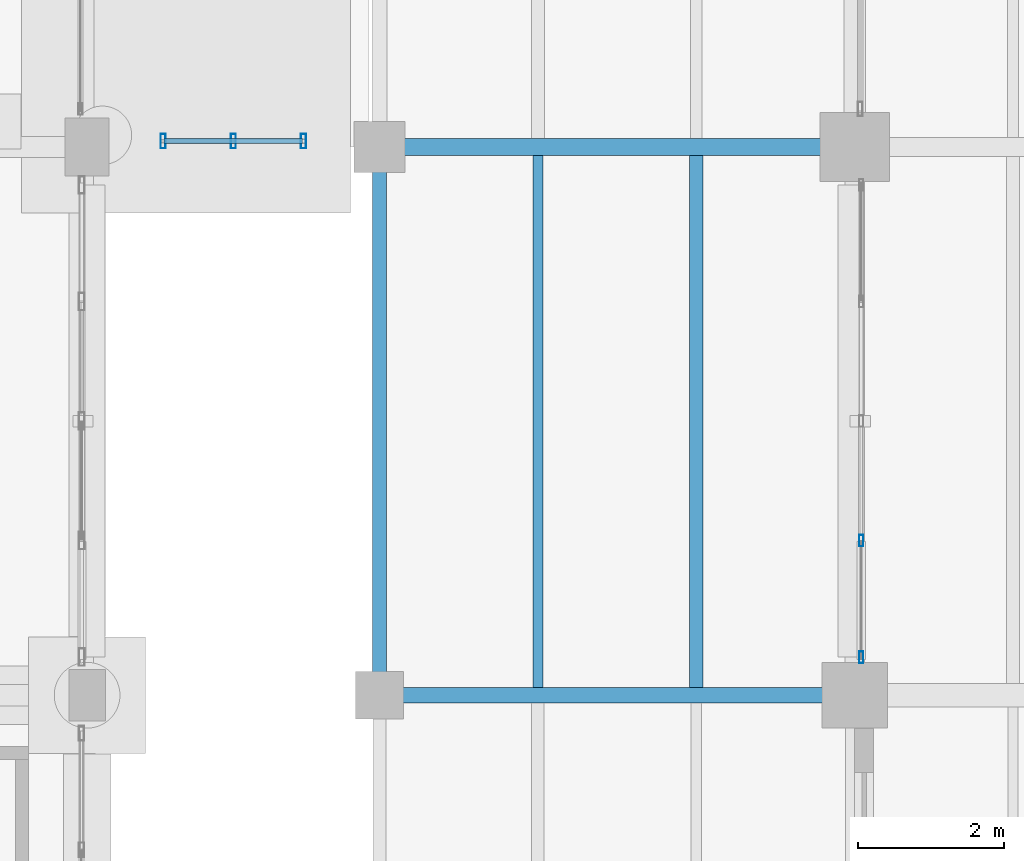
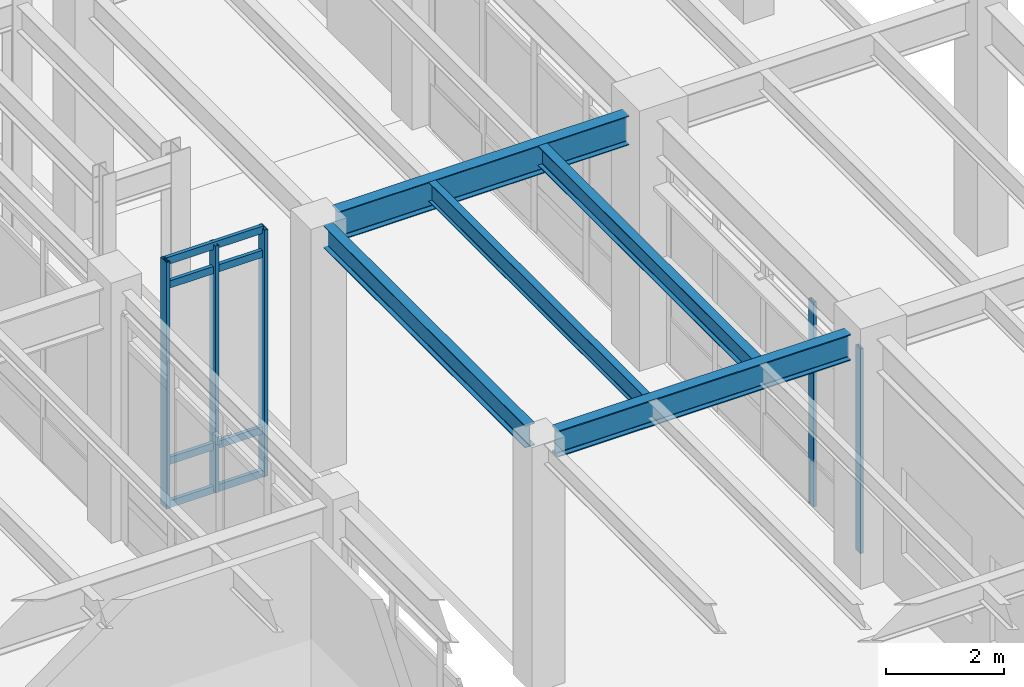
# One storey, part 41 of 203: 9 members, 5 beams, 2 elements without a shape of their own.
"""IFC4 building model written with IfcOpenShell, lengths in metres."""

from ifc_helpers import new_model, si_unit, direction, frame, origin, origin_2d, place, context, subcontext, project, spatial, hollow_rectangle, i_section, extrude, material, material_profile, profile_set, type_object, element, aggregate, save


model = new_model("IFC4")

# Units and contexts
model_context = context("Model", 3, precision=1e-05, world=origin(), true_north=direction((0.0, 1.0)))
body_context = subcontext(model_context, "Body", "Model", "MODEL_VIEW")
ifc_project = project(units=[si_unit("LENGTHUNIT", "METRE"), si_unit("AREAUNIT", "SQUARE_METRE"), si_unit("VOLUMEUNIT", "CUBIC_METRE"), si_unit("PLANEANGLEUNIT", "RADIAN"), si_unit("MASSUNIT", "GRAM", prefix="KILO"), si_unit("THERMODYNAMICTEMPERATUREUNIT", "KELVIN"), si_unit("POWERUNIT", "WATT")], contexts=[model_context])

# Site, building, storey
site_placement = place(None, origin())
site = spatial("IfcSite", under=ifc_project, at=site_placement, CompositionType="ELEMENT")
building_placement = place(site_placement, origin())
building = spatial("IfcBuilding", under=site, at=building_placement, Name="Tepalcoro Natatorium and Aquatics Centre", CompositionType="ELEMENT")
storey_placement = place(building_placement, origin())
storey = spatial("IfcBuildingStorey", under=building, at=storey_placement, Name="L00", CompositionType="ELEMENT", Elevation=0.0)

# Beams
ifc_material_1 = material(Name="Steel ASTM A992 Grade 50 (Fy 345 MPa)", Category="steel")
ifc_material_profile_1 = material_profile(ifc_material_1, i_section(OverallWidth=0.2119140625, OverallDepth=0.5439453125, WebThickness=0.012939453125, FlangeThickness=0.02099609375, FilletRadius=0.013916015625, at=origin_2d()), Name="W21X83")
ifc_profile_set_1 = profile_set([ifc_material_profile_1], Name="Steel ASTM A992 Grade 50 (Fy 345 MPa)")
beam_type_1 = type_object("IfcBeamType", Name="BM_W21x83", PredefinedType="BEAM", material=ifc_profile_set_1)
beam_1_placement = place(storey_placement, frame((40.31005859375, 20.5, 4.81298828125), z_axis=(1.0, 0.0, 0.0), x_axis=(0.0, 1.0, 0.0)))
element("IfcBeam", 1, at=beam_1_placement, inside=storey, type_object=beam_type_1, Name="V1 L00 Grid Girder X", PredefinedType="BEAM", context=body_context, shape_type="SweptSolid", body=[
    extrude(i_section(OverallWidth=0.2119140625, OverallDepth=0.5439453125, WebThickness=0.012939453125, FlangeThickness=0.02099609375, FilletRadius=0.013916015625, at=origin_2d()), origin(), (0.0, 0.0, 1.0), 5.7548828125),
])
ifc_material_profile_2 = material_profile(ifc_material_1, i_section(OverallWidth=0.22802734375, OverallDepth=0.60693359375, WebThickness=0.010986328125, FlangeThickness=0.01708984375, FilletRadius=0.013916015625, at=origin_2d()), Name="W24X76")
ifc_profile_set_2 = profile_set([ifc_material_profile_2], Name="Steel ASTM A992 Grade 50 (Fy 345 MPa)")
beam_type_2 = type_object("IfcBeamType", Name="BM_W24x76", PredefinedType="BEAM", material=ifc_profile_set_2)
beam_2_placement = place(storey_placement, frame((40.3349609375, 28.0, 4.781494140625), z_axis=(1.0, 0.0, 0.0), x_axis=(0.0, 1.0, 0.0)))
element("IfcBeam", 2, at=beam_2_placement, inside=storey, type_object=beam_type_2, Name="V1 L00 Grid Girder X", PredefinedType="BEAM", context=body_context, shape_type="SweptSolid", body=[
    extrude(i_section(OverallWidth=0.22802734375, OverallDepth=0.60693359375, WebThickness=0.010986328125, FlangeThickness=0.01708984375, FilletRadius=0.013916015625, at=origin_2d()), origin(), (0.0, 0.0, 1.0), 5.705078125),
])

# Curtain wall, members
ifc_material_2 = material(Name="Bronze-Anodised Extruded Aluminium Alloy EN AW-6063 T6", Category="aluminium")
curtain_wall_type_1 = type_object("IfcCurtainWallType", Name="CW_LEAN_T1_EW", PredefinedType="USERDEFINED", material=ifc_material_2)
curtain_wall_1_placement = place(storey_placement, origin())
curtain_wall_1 = element("IfcCurtainWall", 3, at=curtain_wall_1_placement, inside=storey, type_object=curtain_wall_type_1, Name="V1 L00 W Unitised Curtain Wall Bay 3", ObjectType="FACETED SOLAR GLAZING", PredefinedType="USERDEFINED")
ifc_material_profile_3 = material_profile(ifc_material_2, hollow_rectangle(XDim=0.06005859375, YDim=0.159912109375, WallThickness=0.00390625, at=origin_2d()), Name="AL60X160X4")
ifc_profile_set_3 = profile_set([ifc_material_profile_3], Name="Bronze-Anodised Extruded Aluminium Alloy EN AW-6063 T6")
member_type_1 = type_object("IfcMemberType", Name="CW_MUL_60x160", PredefinedType="MULLION", material=ifc_profile_set_3)
member_1_placement = place(storey_placement, frame((46.590087890625, 21.02001953125, 0.02001953125), z_axis=(0.0, 0.0, 1.0), x_axis=(1.0, 0.0, 0.0)))
member_1 = element("IfcMember", 4, at=member_1_placement, type_object=member_type_1, Name="CW_LEAN_T1_EW Curtain Wall Mullion", PredefinedType="MULLION", context=body_context, shape_type="SweptSolid", body=[
    extrude(hollow_rectangle(XDim=0.06005859375, YDim=0.159912109375, WallThickness=0.00390625, at=origin_2d()), origin(), (0.0, 0.0, 1.0), 4.25),
])
member_2_placement = place(storey_placement, frame((46.590087890625, 22.614990234375, 0.02001953125), z_axis=(0.0, 0.0, 1.0), x_axis=(1.0, 0.0, 0.0)))
member_2 = element("IfcMember", 5, at=member_2_placement, type_object=member_type_1, Name="CW_LEAN_T1_EW Curtain Wall Mullion", PredefinedType="MULLION", context=body_context, shape_type="SweptSolid", body=[
    extrude(hollow_rectangle(XDim=0.06005859375, YDim=0.159912109375, WallThickness=0.00390625, at=origin_2d()), origin(), (0.0, 0.0, 1.0), 4.25),
])
aggregate(curtain_wall_1, [member_1, member_2])

curtain_wall_type_2 = type_object("IfcCurtainWallType", Name="CW_LINK_150", PredefinedType="USERDEFINED", material=ifc_material_2)
curtain_wall_2_placement = place(storey_placement, origin())
curtain_wall_2 = element("IfcCurtainWall", 6, at=curtain_wall_2_placement, inside=storey, type_object=curtain_wall_type_2, Name="West Foyer Seismic Link Glazed Wall S L00", ObjectType="UNITISED STOREFRONT", PredefinedType="USERDEFINED")
ifc_material_profile_4 = material_profile(ifc_material_2, hollow_rectangle(XDim=0.070068359375, YDim=0.199951171875, WallThickness=0.0048828125, at=origin_2d()), Name="AL70X200X5")
ifc_profile_set_4 = profile_set([ifc_material_profile_4], Name="Bronze-Anodised Extruded Aluminium Alloy EN AW-6063 T6")
member_type_2 = type_object("IfcMemberType", Name="CW_MUL_70x200", PredefinedType="MULLION", material=ifc_profile_set_4)
member_3_placement = place(storey_placement, frame((37.0400390625, 28.080078125, 0.02001953125), z_axis=(0.0, 0.0, 1.0), x_axis=(1.0, 0.0, 0.0)))
member_3 = element("IfcMember", 7, at=member_3_placement, type_object=member_type_2, Name="CW_LINK_150 Curtain Wall Mullion", PredefinedType="MULLION", context=body_context, shape_type="SweptSolid", body=[
    extrude(hollow_rectangle(XDim=0.070068359375, YDim=0.199951171875, WallThickness=0.0048828125, at=origin_2d()), origin(), (0.0, 0.0, 1.0), 5.119873046875),
])
member_4_placement = place(storey_placement, frame((38.0, 28.080078125, 0.02001953125), z_axis=(0.0, 0.0, 1.0), x_axis=(1.0, 0.0, 0.0)))
member_4 = element("IfcMember", 8, at=member_4_placement, type_object=member_type_2, Name="CW_LINK_150 Curtain Wall Mullion", PredefinedType="MULLION", context=body_context, shape_type="SweptSolid", body=[
    extrude(hollow_rectangle(XDim=0.070068359375, YDim=0.199951171875, WallThickness=0.0048828125, at=origin_2d()), origin(), (0.0, 0.0, 1.0), 5.119873046875),
])
member_5_placement = place(storey_placement, frame((38.9599609375, 28.080078125, 0.02001953125), z_axis=(0.0, 0.0, 1.0), x_axis=(1.0, 0.0, 0.0)))
member_5 = element("IfcMember", 9, at=member_5_placement, type_object=member_type_2, Name="CW_LINK_150 Curtain Wall Mullion", PredefinedType="MULLION", context=body_context, shape_type="SweptSolid", body=[
    extrude(hollow_rectangle(XDim=0.070068359375, YDim=0.199951171875, WallThickness=0.0048828125, at=origin_2d()), origin(), (0.0, 0.0, 1.0), 5.119873046875),
])
ifc_material_profile_5 = material_profile(ifc_material_2, hollow_rectangle(XDim=0.070068359375, YDim=0.14990234375, WallThickness=0.00390625, at=origin_2d()), Name="AL70X150X4")
ifc_profile_set_5 = profile_set([ifc_material_profile_5], Name="Bronze-Anodised Extruded Aluminium Alloy EN AW-6063 T6")
member_type_3 = type_object("IfcMemberType", Name="CW_TRN_70x150", PredefinedType="USERDEFINED", material=ifc_profile_set_5)
member_6_placement = place(storey_placement, frame((37.050048828125, 28.080078125, 0.050048828125), z_axis=(1.0, 0.0, 0.0), x_axis=(0.0, 1.0, 0.0)))
member_6 = element("IfcMember", 10, at=member_6_placement, type_object=member_type_3, Name="CW_LINK_150 Curtain Wall Transom", ObjectType="TRANSOM", PredefinedType="USERDEFINED", context=body_context, shape_type="SweptSolid", body=[
    extrude(hollow_rectangle(XDim=0.070068359375, YDim=0.14990234375, WallThickness=0.00390625, at=origin_2d()), origin(), (0.0, 0.0, 1.0), 1.89990234375),
])
member_7_placement = place(storey_placement, frame((37.050048828125, 28.080078125, 0.949951171875), z_axis=(1.0, 0.0, 0.0), x_axis=(0.0, 1.0, 0.0)))
member_7 = element("IfcMember", 11, at=member_7_placement, type_object=member_type_3, Name="CW_LINK_150 Curtain Wall Transom", ObjectType="TRANSOM", PredefinedType="USERDEFINED", context=body_context, shape_type="SweptSolid", body=[
    extrude(hollow_rectangle(XDim=0.070068359375, YDim=0.14990234375, WallThickness=0.00390625, at=origin_2d()), origin(), (0.0, 0.0, 1.0), 1.89990234375),
])
member_8_placement = place(storey_placement, frame((37.050048828125, 28.080078125, 4.610107421875), z_axis=(1.0, 0.0, 0.0), x_axis=(0.0, 1.0, 0.0)))
member_8 = element("IfcMember", 12, at=member_8_placement, type_object=member_type_3, Name="CW_LINK_150 Curtain Wall Transom", ObjectType="TRANSOM", PredefinedType="USERDEFINED", context=body_context, shape_type="SweptSolid", body=[
    extrude(hollow_rectangle(XDim=0.070068359375, YDim=0.14990234375, WallThickness=0.00390625, at=origin_2d()), origin(), (0.0, 0.0, 1.0), 1.89990234375),
])
member_9_placement = place(storey_placement, frame((37.050048828125, 28.080078125, 5.110107421875), z_axis=(1.0, 0.0, 0.0), x_axis=(0.0, 1.0, 0.0)))
member_9 = element("IfcMember", 13, at=member_9_placement, type_object=member_type_3, Name="CW_LINK_150 Curtain Wall Transom", ObjectType="TRANSOM", PredefinedType="USERDEFINED", context=body_context, shape_type="SweptSolid", body=[
    extrude(hollow_rectangle(XDim=0.070068359375, YDim=0.14990234375, WallThickness=0.00390625, at=origin_2d()), origin(), (0.0, 0.0, 1.0), 1.89990234375),
])
aggregate(curtain_wall_2, [member_3, member_4, member_5, member_6, member_7, member_8, member_9])

# Beams
ifc_material_profile_6 = material_profile(ifc_material_1, i_section(OverallWidth=0.139892578125, OverallDepth=0.404052734375, WebThickness=0.007080078125, FlangeThickness=0.010986328125, FilletRadius=0.013916015625, at=origin_2d()), Name="W16X31")
ifc_profile_set_6 = profile_set([ifc_material_profile_6], Name="Steel ASTM A992 Grade 50 (Fy 345 MPa)")
beam_type_3 = type_object("IfcBeamType", Name="JS_W16x31", PredefinedType="JOIST", material=ifc_profile_set_6)
beam_3_placement = place(storey_placement, frame((42.166748046875, 20.60595703125, 4.883056640625), z_axis=(0.0, 1.0, 0.0), x_axis=(-1.0, 0.0, 0.0)))
element("IfcBeam", 14, at=beam_3_placement, inside=storey, type_object=beam_type_3, Name="V1 L00 Floor Joist", PredefinedType="JOIST", context=body_context, shape_type="SweptSolid", body=[
    extrude(i_section(OverallWidth=0.139892578125, OverallDepth=0.404052734375, WebThickness=0.007080078125, FlangeThickness=0.010986328125, FilletRadius=0.013916015625, at=origin_2d()), origin(), (0.0, 0.0, 1.0), 7.280029296875),
])
ifc_material_profile_7 = material_profile(ifc_material_1, i_section(OverallWidth=0.178955078125, OverallDepth=0.409912109375, WebThickness=0.009033203125, FlangeThickness=0.013916015625, FilletRadius=0.013916015625, at=origin_2d()), Name="W16X45")
ifc_profile_set_7 = profile_set([ifc_material_profile_7], Name="Steel ASTM A992 Grade 50 (Fy 345 MPa)")
beam_type_4 = type_object("IfcBeamType", Name="JS_W16x45", PredefinedType="JOIST", material=ifc_profile_set_7)
beam_4_placement = place(storey_placement, frame((44.333251953125, 20.60595703125, 4.8798828125), z_axis=(0.0, 1.0, 0.0), x_axis=(-1.0, 0.0, 0.0)))
element("IfcBeam", 15, at=beam_4_placement, inside=storey, type_object=beam_type_4, Name="V1 L00 Floor Joist", PredefinedType="JOIST", context=body_context, shape_type="SweptSolid", body=[
    extrude(i_section(OverallWidth=0.178955078125, OverallDepth=0.409912109375, WebThickness=0.009033203125, FlangeThickness=0.013916015625, FilletRadius=0.013916015625, at=origin_2d()), origin(), (0.0, 0.0, 1.0), 7.280029296875),
])
ifc_material_profile_8 = material_profile(ifc_material_1, i_section(OverallWidth=0.19091796875, OverallDepth=0.4599609375, WebThickness=0.010009765625, FlangeThickness=0.01611328125, FilletRadius=0.013916015625, at=origin_2d()), Name="W18X55")
ifc_profile_set_8 = profile_set([ifc_material_profile_8], Name="Steel ASTM A992 Grade 50 (Fy 345 MPa)")
beam_type_5 = type_object("IfcBeamType", Name="SP_W18x55", PredefinedType="SPANDREL", material=ifc_profile_set_8)
beam_5_placement = place(storey_placement, frame((40.0, 20.81005859375, 4.85498046875), z_axis=(0.0, 1.0, 0.0), x_axis=(-1.0, 0.0, 0.0)))
element("IfcBeam", 16, at=beam_5_placement, inside=storey, type_object=beam_type_5, Name="V1 L00 Grid Girder Y", PredefinedType="SPANDREL", context=body_context, shape_type="SweptSolid", body=[
    extrude(i_section(OverallWidth=0.19091796875, OverallDepth=0.4599609375, WebThickness=0.010009765625, FlangeThickness=0.01611328125, FilletRadius=0.013916015625, at=origin_2d()), origin(), (0.0, 0.0, 1.0), 6.85498046875),
])

save(model, "model.ifc")
